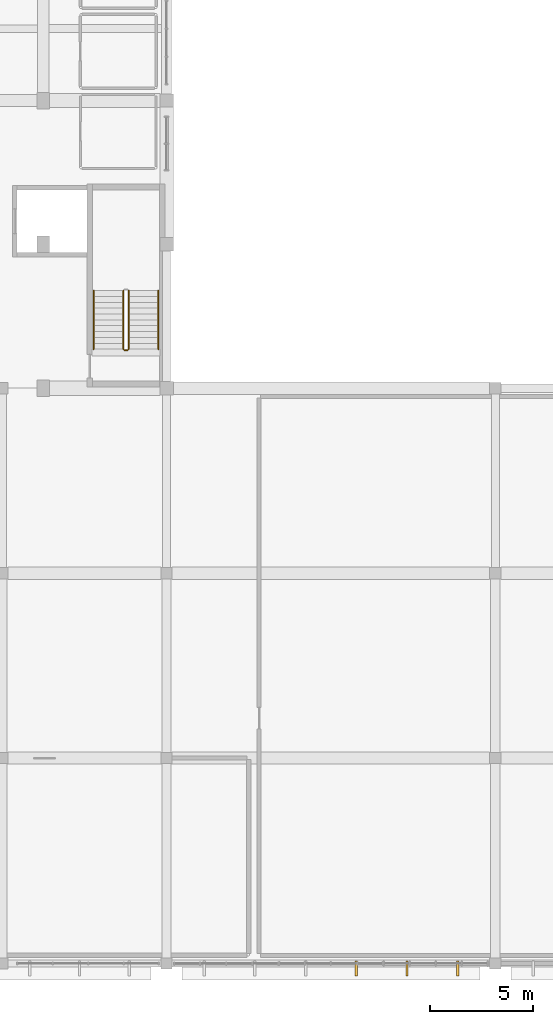
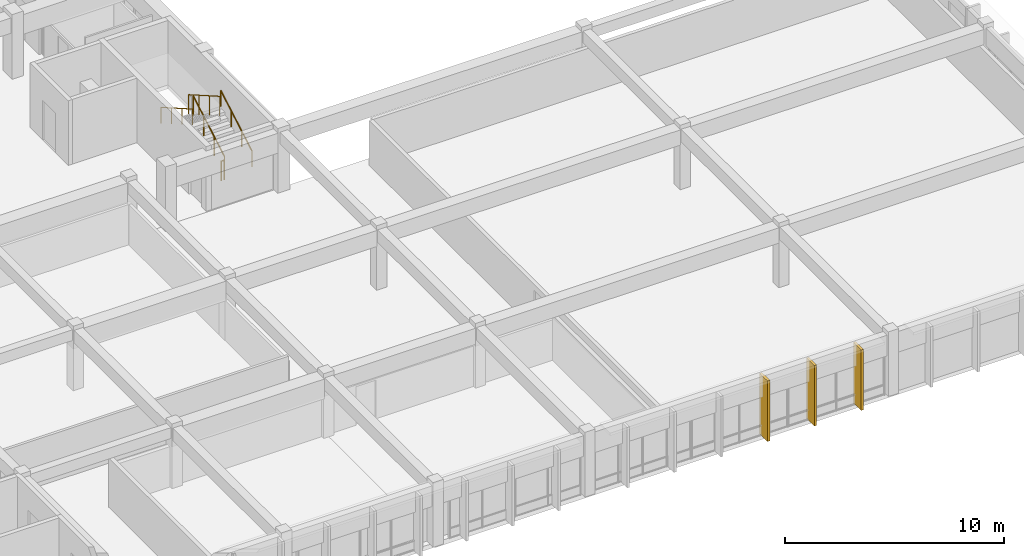
# One storey, part 73 of 77: 5 railings, 3 coverings.
"""IFC4 building model written with IfcOpenShell, lengths in metres."""

import ifcopenshell
import ifcopenshell.guid

model = None  # the IFC model being written
_history = None  # IfcOwnerHistory: only IFC2X3 demands one
_inside = {}  # id of a spatial element -> (the spatial element, [elements in it])
_under = {}  # id of a project, library or spatial element -> (it, [spatial elements below it])
_declared = {}  # id of a project -> (the project, [libraries it declares])
_typed = {}  # id of a type object -> (the type object, [elements of that type])
_made_of = {}  # id of a material, layer set ... -> (it, [elements and type objects made of it])


def new_model(schema):
    """Start an empty IFC model of exactly this schema.

    Asked for "IFC4X3", IfcOpenShell would pick the latest addendum, in which some entities
    have other attributes; the version numbers below select the first issue.
    IFC2X3 requires an IfcOwnerHistory on every rooted entity: one is made here for all.
    """
    global model, _history
    if schema == "IFC4X3":
        model = ifcopenshell.file(schema_version=(4, 3, 0, 0))
    else:
        model = ifcopenshell.file(schema=schema)
    _inside.clear()
    _under.clear()
    _declared.clear()
    _typed.clear()
    _made_of.clear()
    _history = None
    if model.schema == "IFC2X3":
        org = make("IfcOrganization", Name="unknown")
        user = make(
            "IfcPersonAndOrganization",
            ThePerson=make("IfcPerson", FamilyName="unknown"),
            TheOrganization=org,
        )
        app = make(
            "IfcApplication",
            ApplicationDeveloper=org,
            Version="unknown",
            ApplicationFullName="unknown",
            ApplicationIdentifier="unknown",
        )
        _history = make(
            "IfcOwnerHistory",
            OwningUser=user,
            OwningApplication=app,
            ChangeAction="ADDED",
            CreationDate=0,
        )
    return model


def make(cls, **values):
    """One entity of the class cls with the attributes given. An attribute that is None is left unset."""
    return model.create_entity(
        cls, **{name: value for name, value in values.items() if value is not None}
    )


def rooted(cls, **values):
    """An entity with a GlobalId (a new one), such as an element, a storey or a relation."""
    return make(cls, GlobalId=ifcopenshell.guid.new(), OwnerHistory=_history, **values)


def si_unit(unit_type, name, prefix=None):
    """IfcSIUnit, for example si_unit("LENGTHUNIT", "METRE", prefix="MILLI")."""
    return make("IfcSIUnit", UnitType=unit_type, Prefix=prefix, Name=name)


def assignment(units):
    """IfcUnitAssignment: the units of a project."""
    return None if units is None else make("IfcUnitAssignment", Units=units)


def point(xyz):
    """IfcCartesianPoint."""
    return None if xyz is None else make("IfcCartesianPoint", Coordinates=xyz)


def direction(xyz):
    """IfcDirection."""
    return None if xyz is None else make("IfcDirection", DirectionRatios=xyz)


def frame(location, z_axis=None, x_axis=None):
    """IfcAxis2Placement3D, a coordinate frame: its origin and axes. An axis left out is left unset."""
    return make(
        "IfcAxis2Placement3D",
        Location=point(location),
        Axis=direction(z_axis),
        RefDirection=direction(x_axis),
    )


def frame_2d(location, x_axis=None):
    """IfcAxis2Placement2D, a coordinate frame in the plane: its origin and x axis."""
    return make(
        "IfcAxis2Placement2D", Location=point(location), RefDirection=direction(x_axis)
    )


def origin():
    """The frame at (0, 0, 0) with its axes left unset."""
    return frame((0.0, 0.0, 0.0))


def origin_2d():
    """The frame at (0, 0) in the plane with its x axis left unset."""
    return frame_2d((0.0, 0.0))


def place(relative_to, where):
    """IfcLocalPlacement: puts the frame where relative to a parent placement (None: the world)."""
    return make(
        "IfcLocalPlacement", PlacementRelTo=relative_to, RelativePlacement=where
    )


def context(
    kind, dimensions, precision=None, world=None, true_north=None, identifier=None
):
    """IfcGeometricRepresentationContext, for example the 3D "Model" context."""
    return make(
        "IfcGeometricRepresentationContext",
        ContextIdentifier=identifier,
        ContextType=kind,
        CoordinateSpaceDimension=dimensions,
        Precision=precision,
        WorldCoordinateSystem=world,
        TrueNorth=true_north,
    )


def subcontext(parent, identifier, kind, view, scale=None):
    """IfcGeometricRepresentationSubContext, for example "Body" below "Model"."""
    return make(
        "IfcGeometricRepresentationSubContext",
        ContextIdentifier=identifier,
        ContextType=kind,
        ParentContext=parent,
        TargetScale=scale,
        TargetView=view,
    )


def project(units=None, contexts=None):
    """IfcProject with its units and contexts."""
    return rooted(
        "IfcProject",
        Name="project",
        RepresentationContexts=contexts,
        UnitsInContext=assignment(units),
    )


def spatial(cls, under=None, at=None, **own):
    """A site, building, storey or space (cls), placed at a placement, below another one or the project."""
    s = rooted(cls, ObjectPlacement=at, **own)
    if under is not None:
        _under.setdefault(under.id(), (under, []))[1].append(s)
    return s


def profile(cls, at=None, kind="AREA", **sizes):
    """A parametric profile (cls). Its sizes go by their IFC names, for example OverallWidth=200.0."""
    return make(cls, ProfileType=kind, Position=at, **sizes)


def rectangle(**sizes):
    """IfcRectangleProfileDef."""
    return profile("IfcRectangleProfileDef", **sizes)


def circle(**sizes):
    """IfcCircleProfileDef."""
    return profile("IfcCircleProfileDef", **sizes)


def extrude(swept, where, along, depth):
    """IfcExtrudedAreaSolid: the profile swept, set in the frame where, extruded along a direction by depth."""
    return make(
        "IfcExtrudedAreaSolid",
        SweptArea=swept,
        Position=where,
        ExtrudedDirection=direction(along),
        Depth=depth,
    )


def shape(context_of_items, identifier, shape_type, items):
    """IfcShapeRepresentation: the items that make up one representation, for example the "Body"."""
    return make(
        "IfcShapeRepresentation",
        ContextOfItems=context_of_items,
        RepresentationIdentifier=identifier,
        RepresentationType=shape_type,
        Items=items,
    )


def material(Name=None, Category=None):
    """IfcMaterial."""
    return make("IfcMaterial", Name=Name, Category=Category)


def layer(
    of_material, thickness, ventilated=None, Name=None, Category=None, Priority=None
):
    """IfcMaterialLayer: one layer of a wall or slab, of a material (None: an air gap)."""
    return make(
        "IfcMaterialLayer",
        Material=of_material,
        LayerThickness=thickness,
        IsVentilated=ventilated,
        Name=Name,
        Category=Category,
        Priority=Priority,
    )


def layer_set(layers, Name=None):
    """IfcMaterialLayerSet."""
    return make("IfcMaterialLayerSet", MaterialLayers=layers, LayerSetName=Name)


def made_of(thing, what):
    """Note that an element or type object is made of a material, layer set ...; save() writes the relation."""
    if what is not None:
        _made_of.setdefault(what.id(), (what, []))[1].append(thing)
    return thing


def type_object(cls, material=None, **own):
    """A type object (cls), such as IfcWallType, which elements share."""
    return made_of(rooted(cls, **own), material)


def element(
    cls,
    number,
    at=None,
    inside=None,
    cuts=None,
    type_object=None,
    material=None,
    context=None,
    identifier="Body",
    shape_type=None,
    held_by="IfcProductDefinitionShape",
    body=None,
    shapes=None,
    **own,
):
    """One element of the class cls, such as IfcWall. Its Tag is "e" and its number.

    at: its placement. inside: the storey or other place that contains it. cuts: it is an
    opening in that element (IfcRelVoidsElement). A single representation is given by context,
    identifier, shape_type and body (its items); several are given by shapes. held_by: the class
    of the entity that holds the representations. save() writes the other relations.
    """
    e = rooted(cls, Tag="e%d" % number, ObjectPlacement=at, **own)
    if body is not None:
        shapes = [shape(context, identifier, shape_type, body)]
    if shapes is not None:
        e.Representation = make(held_by, Representations=shapes)
    if inside is not None:
        _inside.setdefault(inside.id(), (inside, []))[1].append(e)
    if cuts is not None:
        rooted(
            "IfcRelVoidsElement", RelatingBuildingElement=cuts, RelatedOpeningElement=e
        )
    if type_object is not None:
        _typed.setdefault(type_object.id(), (type_object, []))[1].append(e)
    return made_of(e, material)


def aggregate(whole, parts):
    """IfcRelAggregates: a whole, such as a stair, and the parts it consists of."""
    return rooted("IfcRelAggregates", RelatingObject=whole, RelatedObjects=parts)


def save(model, path):
    """Write the relations noted so far, then the file.

    IfcRelAggregates (storeys below a building ...), IfcRelContainedInSpatialStructure (elements
    in a storey), IfcRelDefinesByType, IfcRelAssociatesMaterial and IfcRelDeclares: one each for
    every whole, place, type object, material and project.
    """
    for whole, parts in _under.values():
        aggregate(whole, parts)
    for where, things in _inside.values():
        rooted(
            "IfcRelContainedInSpatialStructure",
            RelatedElements=things,
            RelatingStructure=where,
        )
    for kind, things in _typed.values():
        rooted("IfcRelDefinesByType", RelatedObjects=things, RelatingType=kind)
    for what, things in _made_of.values():
        rooted("IfcRelAssociatesMaterial", RelatedObjects=things, RelatingMaterial=what)
    for by, libraries in _declared.values():
        rooted("IfcRelDeclares", RelatingContext=by, RelatedDefinitions=libraries)
    model.write(path)


model = new_model("IFC4")

# Units and contexts
model_context = context("Model", 3, precision=1e-05, world=origin(), true_north=direction((0.0, 1.0)))
body_context = subcontext(model_context, "Body", "Model", "MODEL_VIEW")
ifc_project = project(units=[si_unit("LENGTHUNIT", "METRE"), si_unit("AREAUNIT", "SQUARE_METRE"), si_unit("VOLUMEUNIT", "CUBIC_METRE"), si_unit("PLANEANGLEUNIT", "RADIAN"), si_unit("MASSUNIT", "GRAM", prefix="KILO")], contexts=[model_context])

# Site, building, storey
site_placement = place(None, origin())
site = spatial("IfcSite", under=ifc_project, at=site_placement, CompositionType="ELEMENT")
building_placement = place(site_placement, origin())
building = spatial("IfcBuilding", under=site, at=building_placement, Name="Larkveld Mobility Hub", CompositionType="ELEMENT")
storey_placement = place(building_placement, frame((0.0, 0.0, 12.0)))
storey = spatial("IfcBuildingStorey", under=building, at=storey_placement, Name="L03", CompositionType="ELEMENT", Elevation=12.0)

# Coverings
ifc_material_1 = material(Name="Precast concrete C50/60", Category="concrete")
ifc_layer = layer(ifc_material_1, 0.1201171875, Name="Precast concrete C50/60", Category="concrete")
ifc_layer_set = layer_set([ifc_layer], Name="Precast concrete C50/60")
covering_type = type_object("IfcCoveringType", Name="COV-QSL-V01", PredefinedType="CLADDING", material=ifc_layer_set)
for number, where, z_axis, x_axis, name in (
    (1, (161.23291015625, -0.239990234375, -0.01953125), (0.0, 0.0, 1.0), (1.0, 0.0, 0.0), "Precast Quebra-Sol Vertical Fin QSV-321"),
    (2, (163.699951171875, -0.239990234375, -0.01953125), (0.0, 0.0, 1.0), (1.0, 0.0, 0.0), "Precast Quebra-Sol Vertical Fin QSV-322"),
    (3, (166.1669921875, -0.239990234375, -0.01953125), (0.0, 0.0, 1.0), (1.0, 0.0, 0.0), "Precast Quebra-Sol Vertical Fin QSV-323"),
):
    element("IfcCovering", number, at=place(storey_placement, frame(where, z_axis=z_axis, x_axis=x_axis)), inside=storey, type_object=covering_type, Name=name, PredefinedType="CLADDING", context=body_context, shape_type="SweptSolid", body=[
        extrude(rectangle(XDim=0.1201171875, YDim=0.719970703125, at=origin_2d()), origin(), (0.0, 0.0, 1.0), 3.375),
    ])

# Railings
ifc_material_2 = material(Name="Galvanized Steel S355JR balustrade", Category="steel")
railing_type_1 = type_object("IfcRailingType", Name="RL-GRD-1100", PredefinedType="GUARDRAIL", material=ifc_material_2)
railing_1_placement = place(storey_placement, frame((150.14990234375, 29.89990234375, 0.16357421875)))
element("IfcRailing", 4, at=railing_1_placement, inside=storey, type_object=railing_type_1, Name="L03 ST1 stair guard 1", PredefinedType="GUARDRAIL", context=body_context, shape_type="SweptSolid", body=[
    extrude(circle(Radius=0.02392578125, at=origin_2d()), frame((0.0, 0.0, 1.076171875), z_axis=(0.0, 0.86721270334, 0.497937874806), x_axis=(-1.0, 0.0, 0.0)), (0.0, 0.0, 1.0), 3.28662109375),
    extrude(circle(Radius=0.02099609375, at=origin_2d()), origin(), (0.0, 0.0, 1.0), 1.052001953125),
    extrude(circle(Radius=0.02099609375, at=origin_2d()), frame((0.0, 0.949951171875, 0.54541015625)), (0.0, 0.0, 1.0), 1.052001953125),
    extrude(circle(Radius=0.02099609375, at=origin_2d()), frame((0.0, 1.900146484375, 1.091064453125)), (0.0, 0.0, 1.0), 1.052001953125),
    extrude(circle(Radius=0.02099609375, at=origin_2d()), frame((0.0, 2.85009765625, 1.636474609375)), (0.0, 0.0, 1.0), 1.052001953125),
])
railing_2_placement = place(storey_placement, frame((149.89990234375, 32.75, 1.963623046875)))
element("IfcRailing", 5, at=railing_2_placement, inside=storey, type_object=railing_type_1, Name="L03 ST1 stair guard 3", PredefinedType="GUARDRAIL", context=body_context, shape_type="SweptSolid", body=[
    extrude(circle(Radius=0.02392578125, at=origin_2d()), frame((0.0, 0.0, 1.076171875), z_axis=(0.0, -0.86721270334, 0.497937874806), x_axis=(1.0, 0.0, 0.0)), (0.0, 0.0, 1.0), 3.28662109375),
    extrude(circle(Radius=0.02099609375, at=origin_2d()), origin(), (0.0, 0.0, 1.0), 1.052001953125),
    extrude(circle(Radius=0.02099609375, at=origin_2d()), frame((0.0, -0.949951171875, 0.54541015625)), (0.0, 0.0, 1.0), 1.052001953125),
    extrude(circle(Radius=0.02099609375, at=origin_2d()), frame((0.0, -1.900146484375, 1.091064453125)), (0.0, 0.0, 1.0), 1.052001953125),
    extrude(circle(Radius=0.02099609375, at=origin_2d()), frame((0.0, -2.85009765625, 1.636474609375)), (0.0, 0.0, 1.0), 1.052001953125),
])
railing_3_placement = place(storey_placement, frame((150.10009765625, 29.85009765625, 0.0)))
element("IfcRailing", 6, at=railing_3_placement, inside=storey, type_object=railing_type_1, Name="L03 ST1 stair guard 4", PredefinedType="GUARDRAIL", context=body_context, shape_type="SweptSolid", body=[
    extrude(circle(Radius=0.02392578125, at=origin_2d()), frame((0.0, 0.0, 1.076171875), z_axis=(-1.0, 0.0, 0.0), x_axis=(0.0, -1.0, 0.0)), (0.0, 0.0, 1.0), 0.150146484375),
    extrude(circle(Radius=0.02099609375, at=origin_2d()), origin(), (0.0, 0.0, 1.0), 1.052001953125),
    extrude(circle(Radius=0.02099609375, at=origin_2d()), frame((-0.150146484375, 0.0, 0.0)), (0.0, 0.0, 1.0), 1.052001953125),
])
ifc_material_3 = material(Name="Brushed Steel S355JR tubular handrail", Category="steel")
railing_type_2 = type_object("IfcRailingType", Name="RL-HND-0900", PredefinedType="HANDRAIL", material=ifc_material_3)
railing_4_placement = place(storey_placement, frame((151.60009765625, 29.89990234375, 0.16357421875)))
element("IfcRailing", 7, at=railing_4_placement, inside=storey, type_object=railing_type_2, Name="L03 ST1 stair handrail 1", PredefinedType="HANDRAIL", context=body_context, shape_type="SweptSolid", body=[
    extrude(circle(Radius=0.02392578125, at=origin_2d()), frame((0.0, 0.0, 0.8759765625), z_axis=(0.0, 0.86721270334, 0.497937874806), x_axis=(-1.0, 0.0, 0.0)), (0.0, 0.0, 1.0), 3.28662109375),
    extrude(circle(Radius=0.02099609375, at=origin_2d()), origin(), (0.0, 0.0, 1.0), 0.851806640625),
    extrude(circle(Radius=0.02099609375, at=origin_2d()), frame((0.0, 0.949951171875, 0.54541015625)), (0.0, 0.0, 1.0), 0.851806640625),
    extrude(circle(Radius=0.02099609375, at=origin_2d()), frame((0.0, 1.900146484375, 1.091064453125)), (0.0, 0.0, 1.0), 0.851806640625),
    extrude(circle(Radius=0.02099609375, at=origin_2d()), frame((0.0, 2.85009765625, 1.636474609375)), (0.0, 0.0, 1.0), 0.851806640625),
])
railing_5_placement = place(storey_placement, frame((148.449951171875, 32.75, 1.963623046875)))
element("IfcRailing", 8, at=railing_5_placement, inside=storey, type_object=railing_type_2, Name="L03 ST1 stair handrail 2", PredefinedType="HANDRAIL", context=body_context, shape_type="SweptSolid", body=[
    extrude(circle(Radius=0.02392578125, at=origin_2d()), frame((0.0, 0.0, 0.8759765625), z_axis=(0.0, -0.86721270334, 0.497937874806), x_axis=(1.0, 0.0, 0.0)), (0.0, 0.0, 1.0), 3.28662109375),
    extrude(circle(Radius=0.02099609375, at=origin_2d()), origin(), (0.0, 0.0, 1.0), 0.851806640625),
    extrude(circle(Radius=0.02099609375, at=origin_2d()), frame((0.0, -0.949951171875, 0.54541015625)), (0.0, 0.0, 1.0), 0.851806640625),
    extrude(circle(Radius=0.02099609375, at=origin_2d()), frame((0.0, -1.900146484375, 1.091064453125)), (0.0, 0.0, 1.0), 0.851806640625),
    extrude(circle(Radius=0.02099609375, at=origin_2d()), frame((0.0, -2.85009765625, 1.636474609375)), (0.0, 0.0, 1.0), 0.851806640625),
])

save(model, "model.ifc")
